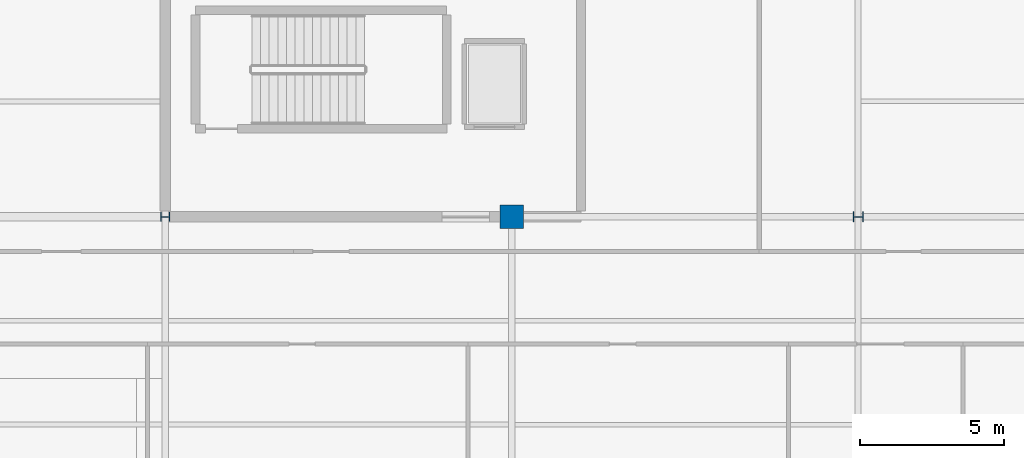
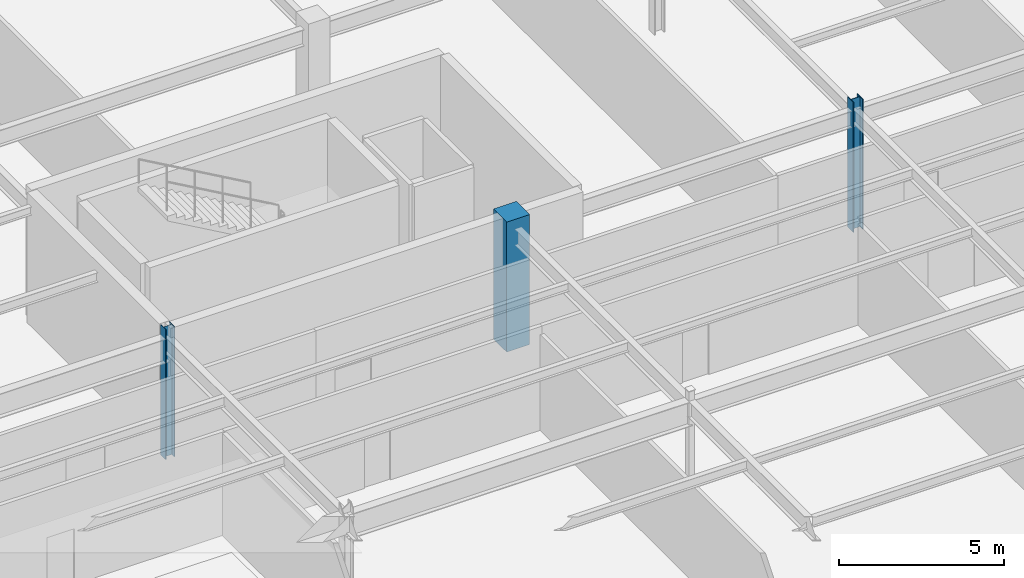
# One storey, part 43 of 199: 3 columns.
"""IFC4 building model written with IfcOpenShell, lengths in metres."""

from ifc_helpers import new_model, si_unit, direction, frame, origin, origin_2d, place, context, subcontext, project, spatial, rectangle, i_section, extrude, material, material_profile, profile_set, type_object, element, save


model = new_model("IFC4")

# Units and contexts
model_context = context("Model", 3, precision=1e-05, world=origin(), true_north=direction((0.0, 1.0)))
body_context = subcontext(model_context, "Body", "Model", "MODEL_VIEW")
ifc_project = project(units=[si_unit("LENGTHUNIT", "METRE"), si_unit("AREAUNIT", "SQUARE_METRE"), si_unit("VOLUMEUNIT", "CUBIC_METRE"), si_unit("PLANEANGLEUNIT", "RADIAN"), si_unit("MASSUNIT", "GRAM", prefix="KILO")], contexts=[model_context])

# Site, building, storey
site_placement = place(None, origin())
site = spatial("IfcSite", under=ifc_project, at=site_placement, CompositionType="ELEMENT")
building_placement = place(site_placement, origin())
building = spatial("IfcBuilding", under=site, at=building_placement, Name="Tarnwether General Hospital", CompositionType="ELEMENT")
storey_placement = place(building_placement, origin())
storey = spatial("IfcBuildingStorey", under=building, at=storey_placement, Name="L00", CompositionType="ELEMENT", Elevation=0.0)

# Columns
ifc_material_1 = material(Name="Steel Grade 350 (350 MPa)", Category="steel")
ifc_material_profile_1 = material_profile(ifc_material_1, i_section(OverallWidth=0.35009765625, OverallDepth=0.360107421875, WebThickness=0.01611328125, FlangeThickness=0.028076171875, at=origin_2d()), Name="350WC230")
ifc_profile_set_1 = profile_set([ifc_material_profile_1], Name="Steel Grade 350 (350 MPa)")
column_type_1 = type_object("IfcColumnType", Name="COL-03", PredefinedType="COLUMN", material=ifc_profile_set_1)
column_1_placement = place(storey_placement, frame((180.0, 21.60009765625, 0.0), z_axis=(0.0, 0.0, 1.0), x_axis=(0.0, 1.0, 0.0)))
element("IfcColumn", 1, at=column_1_placement, inside=storey, type_object=column_type_1, Name="Column COLG-L00-18000_2160", PredefinedType="COLUMN", context=body_context, shape_type="SweptSolid", body=[
    extrude(i_section(OverallWidth=0.35009765625, OverallDepth=0.360107421875, WebThickness=0.01611328125, FlangeThickness=0.028076171875, at=origin_2d()), origin(), (0.0, 0.0, 1.0), 4.800048828125),
])
ifc_material_2 = material(Name="Steel Grade 350 (350 MPa)", Category="steel")
ifc_material_profile_2 = material_profile(ifc_material_2, i_section(OverallWidth=0.30908203125, OverallDepth=0.321044921875, WebThickness=0.013916015625, FlangeThickness=0.021728515625, at=origin_2d()), Name="310UC137")
ifc_profile_set_2 = profile_set([ifc_material_profile_2], Name="Steel Grade 350 (350 MPa)")
column_type_2 = type_object("IfcColumnType", Name="COL-06", PredefinedType="COLUMN", material=ifc_profile_set_2)
column_2_placement = place(storey_placement, frame((156.0, 21.60009765625, 0.0), z_axis=(0.0, 0.0, 1.0), x_axis=(0.0, 1.0, 0.0)))
element("IfcColumn", 2, at=column_2_placement, inside=storey, type_object=column_type_2, Name="Column COLG-L00-15600_2160", PredefinedType="COLUMN", context=body_context, shape_type="SweptSolid", body=[
    extrude(i_section(OverallWidth=0.30908203125, OverallDepth=0.321044921875, WebThickness=0.013916015625, FlangeThickness=0.021728515625, at=origin_2d()), origin(), (0.0, 0.0, 1.0), 4.800048828125),
])
ifc_material_3 = material(Name="Concrete 50 MPa", Category="concrete")
ifc_material_profile_3 = material_profile(ifc_material_3, rectangle(XDim=0.800048828125, YDim=0.800048828125, at=origin_2d()), Name="RC-COL-800x800")
ifc_profile_set_3 = profile_set([ifc_material_profile_3], Name="Concrete 50 MPa")
column_type_3 = type_object("IfcColumnType", Name="COL-16", PredefinedType="COLUMN", material=ifc_profile_set_3)
column_3_placement = place(storey_placement, frame((168.0, 21.60009765625, 0.0), z_axis=(0.0, 0.0, 1.0), x_axis=(1.0, 0.0, 0.0)))
element("IfcColumn", 3, at=column_3_placement, inside=storey, type_object=column_type_3, Name="Column COLG-L00-16800_2160", PredefinedType="COLUMN", context=body_context, shape_type="SweptSolid", body=[
    extrude(rectangle(XDim=0.800048828125, YDim=0.800048828125, at=origin_2d()), origin(), (0.0, 0.0, 1.0), 4.800048828125),
])

save(model, "model.ifc")
